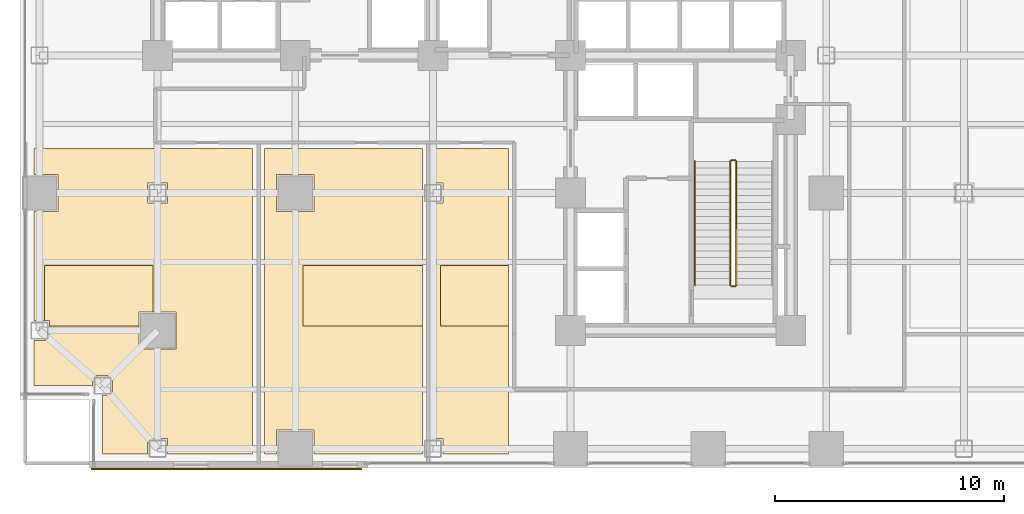
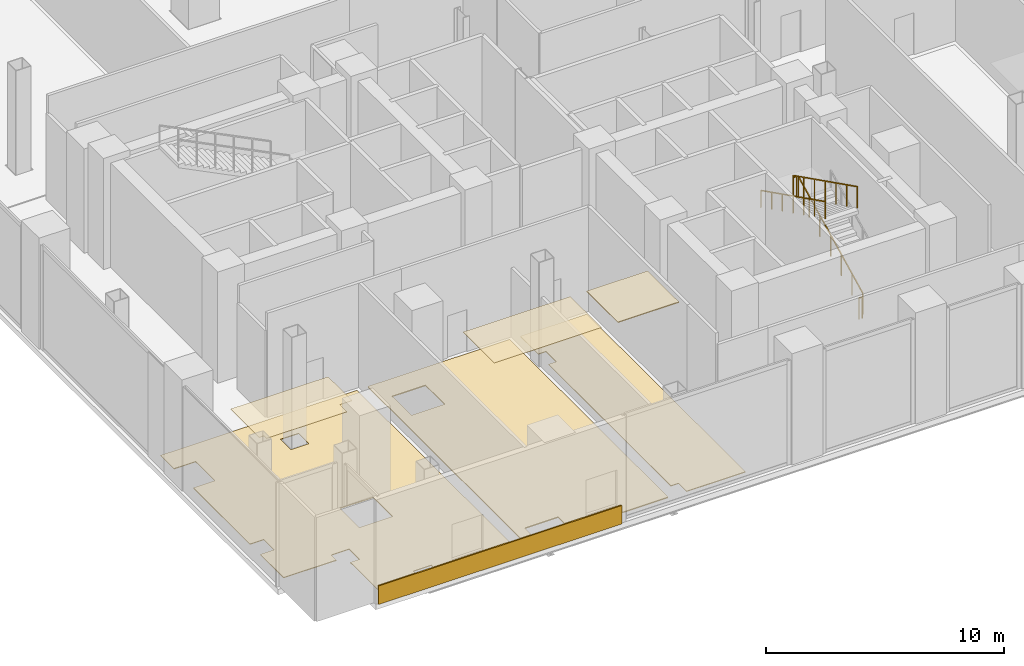
# One storey, part 24 of 27: 7 coverings, 5 railings.
"""IFC4 building model written with IfcOpenShell, lengths in metres."""

from ifc_helpers import new_model, si_unit, direction, frame, origin, origin_2d, place, context, subcontext, project, spatial, polyline, rectangle, outline, extrude, material, layer, layer_set, type_object, element, save


model = new_model("IFC4")

# Units and contexts
model_context = context("Model", 3, precision=1e-05, world=origin(), true_north=direction((0.0, 1.0)))
body_context = subcontext(model_context, "Body", "Model", "MODEL_VIEW")
ifc_project = project(units=[si_unit("LENGTHUNIT", "METRE"), si_unit("AREAUNIT", "SQUARE_METRE"), si_unit("VOLUMEUNIT", "CUBIC_METRE"), si_unit("PLANEANGLEUNIT", "RADIAN"), si_unit("MASSUNIT", "GRAM", prefix="KILO"), si_unit("THERMODYNAMICTEMPERATUREUNIT", "KELVIN"), si_unit("POWERUNIT", "WATT")], contexts=[model_context])

# Site, building, storey
site_placement = place(None, origin())
site = spatial("IfcSite", under=ifc_project, at=site_placement, CompositionType="ELEMENT")
building_placement = place(site_placement, origin())
building = spatial("IfcBuilding", under=site, at=building_placement, Name="Svarakhadi Broadcast Tower", CompositionType="ELEMENT")
storey_placement = place(building_placement, frame((0.0, 0.0, 21.89990234375)))
storey = spatial("IfcBuildingStorey", under=building, at=storey_placement, Name="L04", CompositionType="ELEMENT", Elevation=21.89990234375)

# Coverings
ifc_material_1 = material(Name="Glazed Monsoon Terracotta Rainscreen Tile", Category="masonry")
ifc_layer_1 = layer(ifc_material_1, 0.06494140625)
ifc_layer_set_1 = layer_set([ifc_layer_1], Name="Glazed Monsoon Terracotta Rainscreen Tile")
covering_type_1 = type_object("IfcCoveringType", Name="Cladding_Terracotta_CL01", PredefinedType="CLADDING", material=ifc_layer_set_1)
covering_1_placement = place(storey_placement, origin())
element("IfcCovering", 1, at=covering_1_placement, inside=storey, type_object=covering_type_1, Name="L04 Terracotta Monsoon Spandrel Rainscreen Cladding CL-01", PredefinedType="CLADDING", context=body_context, shape_type="SweptSolid", body=[
    extrude(outline(polyline([(3.10009765625, -0.06494140625), (14.89990234375, -0.06494140625), (14.89990234375, 0.0), (3.10009765625, 0.0), (3.10009765625, -0.06494140625)])), origin(), (0.0, 0.0, 1.0), 0.9501953125),
])
ifc_material_2 = material(Name="Anodised Bronze Aluminium Linear Acoustic Baffle", Category="aluminium")
ifc_layer_2 = layer(ifc_material_2, 0.044921875)
ifc_layer_set_2 = layer_set([ifc_layer_2], Name="Anodised Bronze Aluminium Linear Acoustic Baffle")
covering_type_2 = type_object("IfcCoveringType", Name="Cov_Ceiling_Baffle", PredefinedType="CEILING", material=ifc_layer_set_2)
covering_2_placement = place(storey_placement, frame((0.0, 0.0, 5.30517578125)))
element("IfcCovering", 2, at=covering_2_placement, inside=storey, type_object=covering_type_2, Name="L04 L04 Crew Green Room and Pantry Acoustic Ceiling", PredefinedType="CEILING", context=body_context, shape_type="SweptSolid", body=[
    extrude(outline(polyline([(21.2900390625, 6.2099609375), (18.3349609375, 6.2099609375), (18.3349609375, 8.8349609375), (21.2900390625, 8.8349609375), (21.2900390625, 6.2099609375)])), origin(), (0.0, 0.0, 1.0), 0.044921875),
])
ifc_material_3 = material(Name="Micro-Perforated Mineral Fibre Acoustic Ceiling Tile", Category="mineral_fibre")
ifc_layer_3 = layer(ifc_material_3, 0.02490234375)
ifc_layer_set_3 = layer_set([ifc_layer_3], Name="Micro-Perforated Mineral Fibre Acoustic Ceiling Tile")
covering_type_3 = type_object("IfcCoveringType", Name="Cov_Ceiling_Tile", PredefinedType="CEILING", material=ifc_layer_set_3)
covering_3_placement = place(storey_placement, frame((0.0, 0.0, 5.3251953125)))
element("IfcCovering", 3, at=covering_3_placement, inside=storey, type_object=covering_type_3, Name="L04 L04 Master Control Broadcast Room Acoustic Ceiling", PredefinedType="CEILING", context=body_context, shape_type="SweptSolid", body=[
    extrude(outline(polyline([(5.18994140625, 6.81005859375), (5.18994140625, 6.2099609375), (3.81005859375, 6.2099609375), (3.389892578125, 6.2099609375), (1.284912109375, 6.2099609375), (1.284912109375, 6.43505859375), (1.06005859375, 6.43505859375), (1.06005859375, 8.8349609375), (5.7900390625, 8.8349609375), (5.7900390625, 6.81005859375), (5.18994140625, 6.81005859375)])), origin(), (0.0, 0.0, 1.0), 0.02490234375),
])
covering_4_placement = place(storey_placement, frame((0.0, 0.0, 5.3251953125)))
element("IfcCovering", 4, at=covering_4_placement, inside=storey, type_object=covering_type_3, Name="L04 L04 Audio Post-Production Mixing Room Acoustic Ceiling", PredefinedType="CEILING", context=body_context, shape_type="SweptSolid", body=[
    extrude(outline(polyline([(17.5400390625, 6.2099609375), (12.3349609375, 6.2099609375), (12.3349609375, 8.8349609375), (17.5400390625, 8.8349609375), (17.5400390625, 6.2099609375)])), origin(), (0.0, 0.0, 1.0), 0.02490234375),
])
ifc_material_4 = material(Name="Heavy-Duty Anti-Static Broadcast Raised Access Floor", Category="steel")
ifc_layer_4 = layer(ifc_material_4, 0.050048828125)
ifc_layer_set_4 = layer_set([ifc_layer_4], Name="Heavy-Duty Anti-Static Broadcast Raised Access Floor")
covering_type_4 = type_object("IfcCoveringType", Name="Cov_Floor_Access", PredefinedType="FLOORING", material=ifc_layer_set_4)
covering_5_placement = place(storey_placement, origin())
element("IfcCovering", 5, at=covering_5_placement, inside=storey, type_object=covering_type_4, Name="L04 L04 Audio Post-Production Mixing Room Floor Finish", PredefinedType="FLOORING", context=body_context, shape_type="SweptSolid", body=[
    extrude(outline(polyline([(17.5400390625, 13.93994140625), (17.5400390625, 0.610107421875), (12.81005859375, 0.610107421875), (12.81005859375, 1.659912109375), (11.18994140625, 1.659912109375), (11.18994140625, 0.610107421875), (10.659912109375, 0.610107421875), (10.659912109375, 13.93994140625), (17.5400390625, 13.93994140625)]), holes=[polyline([(11.18994140625, 11.18994140625), (12.81005859375, 11.18994140625), (12.81005859375, 12.81005859375), (11.18994140625, 12.81005859375), (11.18994140625, 11.18994140625)])]), origin(), (0.0, 0.0, 1.0), 0.050048828125),
])
ifc_material_5 = material(Name="Honed Konkan Basalt Stone Tile Flooring", Category="masonry")
ifc_layer_5 = layer(ifc_material_5, 0.034912109375)
ifc_layer_set_5 = layer_set([ifc_layer_5], Name="Honed Konkan Basalt Stone Tile Flooring")
covering_type_5 = type_object("IfcCoveringType", Name="Cov_Floor_Basalt", PredefinedType="FLOORING", material=ifc_layer_set_5)
covering_6_placement = place(storey_placement, origin())
element("IfcCovering", 6, at=covering_6_placement, inside=storey, type_object=covering_type_5, Name="L04 L04 Master Control Broadcast Room Floor Finish", PredefinedType="FLOORING", context=body_context, shape_type="SweptSolid", body=[
    extrude(outline(polyline([(10.139892578125, 0.610107421875), (6.43505859375, 0.610107421875), (6.43505859375, 1.284912109375), (5.56494140625, 1.284912109375), (5.56494140625, 0.610107421875), (3.60009765625, 0.610107421875), (3.60009765625, 3.0), (3.60009765625, 3.009033203125), (3.597900390625, 3.050048828125), (3.595947265625, 3.06689453125), (3.590087890625, 3.10791015625), (3.5869140625, 3.1259765625), (3.576904296875, 3.1650390625), (4.034912109375, 3.1650390625), (4.034912109375, 4.034912109375), (3.1650390625, 4.034912109375), (3.1650390625, 3.576904296875), (3.1259765625, 3.5869140625), (3.10791015625, 3.590087890625), (3.06689453125, 3.595947265625), (3.050048828125, 3.597900390625), (3.009033203125, 3.60009765625), (3.0, 3.60009765625), (0.610107421875, 3.60009765625), (0.610107421875, 5.56494140625), (1.284912109375, 5.56494140625), (1.284912109375, 6.43505859375), (0.610107421875, 6.43505859375), (0.610107421875, 11.18994140625), (1.659912109375, 11.18994140625), (1.659912109375, 12.81005859375), (0.610107421875, 12.81005859375), (0.610107421875, 13.93994140625), (10.139892578125, 13.93994140625), (10.139892578125, 0.610107421875)]), holes=[polyline([(5.18994140625, 5.18994140625), (6.81005859375, 5.18994140625), (6.81005859375, 6.81005859375), (5.18994140625, 6.81005859375), (5.18994140625, 5.18994140625)]), polyline([(5.56494140625, 11.56494140625), (6.43505859375, 11.56494140625), (6.43505859375, 12.43505859375), (5.56494140625, 12.43505859375), (5.56494140625, 11.56494140625)])]), origin(), (0.0, 0.0, 1.0), 0.03515625),
])
covering_7_placement = place(storey_placement, origin())
element("IfcCovering", 7, at=covering_7_placement, inside=storey, type_object=covering_type_5, Name="L04 L04 Crew Green Room and Pantry Floor Finish", PredefinedType="FLOORING", context=body_context, shape_type="SweptSolid", body=[
    extrude(outline(polyline([(21.2900390625, 13.93994140625), (21.2900390625, 0.610107421875), (18.43505859375, 0.610107421875), (18.43505859375, 1.284912109375), (18.06005859375, 1.284912109375), (18.06005859375, 11.56494140625), (18.43505859375, 11.56494140625), (18.43505859375, 12.43505859375), (18.06005859375, 12.43505859375), (18.06005859375, 13.93994140625), (21.2900390625, 13.93994140625)])), origin(), (0.0, 0.0, 1.0), 0.03515625),
])

# Railings
ifc_material_6 = material(Name="Anodised Bronze Aluminium AA 6063-T6", Category="aluminium")
railing_type_1 = type_object("IfcRailingType", Name="Guard_Stair_GR01", PredefinedType="GUARDRAIL", material=ifc_material_6)
railing_1_placement = place(storey_placement, frame((31.22998046875, 7.97998046875, 0.150146484375)))
element("IfcRailing", 8, at=railing_1_placement, inside=storey, type_object=railing_type_1, Name="L04 ST-02 stair guard 1", PredefinedType="GUARDRAIL", context=body_context, shape_type="SweptSolid", body=[
    extrude(rectangle(XDim=0.048095703125, YDim=0.048095703125, at=origin_2d()), frame((0.0, 0.0, 1.09619140625), z_axis=(0.0, 0.894427191, 0.4472135955), x_axis=(-1.0, 0.0, 0.0)), (0.0, 0.0, 1.0), 6.037353515625),
    extrude(rectangle(XDim=0.0419921875, YDim=0.0419921875, at=origin_2d()), origin(), (0.0, 0.0, 1.0), 1.072021484375),
    extrude(rectangle(XDim=0.0419921875, YDim=0.0419921875, at=origin_2d()), frame((0.0, 0.89990234375, 0.449951171875)), (0.0, 0.0, 1.0), 1.072021484375),
    extrude(rectangle(XDim=0.0419921875, YDim=0.0419921875, at=origin_2d()), frame((0.0, 1.800048828125, 0.89990234375)), (0.0, 0.0, 1.0), 1.072021484375),
    extrude(rectangle(XDim=0.0419921875, YDim=0.0419921875, at=origin_2d()), frame((0.0, 2.699951171875, 1.35009765625)), (0.0, 0.0, 1.0), 1.072021484375),
    extrude(rectangle(XDim=0.0419921875, YDim=0.0419921875, at=origin_2d()), frame((0.0, 3.599853515625, 1.800048828125)), (0.0, 0.0, 1.0), 1.072021484375),
    extrude(rectangle(XDim=0.0419921875, YDim=0.0419921875, at=origin_2d()), frame((0.0, 4.5, 2.25)), (0.0, 0.0, 1.0), 1.072021484375),
    extrude(rectangle(XDim=0.0419921875, YDim=0.0419921875, at=origin_2d()), frame((0.0, 5.39990234375, 2.699951171875)), (0.0, 0.0, 1.0), 1.072021484375),
])
railing_2_placement = place(storey_placement, frame((31.179931640625, 13.429931640625, 2.85009765625)))
element("IfcRailing", 9, at=railing_2_placement, inside=storey, type_object=railing_type_1, Name="L04 ST-02 stair guard 2", PredefinedType="GUARDRAIL", context=body_context, shape_type="SweptSolid", body=[
    extrude(rectangle(XDim=0.048095703125, YDim=0.048095703125, at=origin_2d()), frame((0.0, 0.0, 1.09619140625), z_axis=(-1.0, 0.0, 0.0), x_axis=(0.0, -1.0, 0.0)), (0.0, 0.0, 1.0), 0.159912109375),
    extrude(rectangle(XDim=0.0419921875, YDim=0.0419921875, at=origin_2d()), origin(), (0.0, 0.0, 1.0), 1.072021484375),
    extrude(rectangle(XDim=0.0419921875, YDim=0.0419921875, at=origin_2d()), frame((-0.159912109375, 0.0, 0.0)), (0.0, 0.0, 1.0), 1.072021484375),
])
railing_3_placement = place(storey_placement, frame((30.969970703125, 13.3798828125, 3.0)))
element("IfcRailing", 10, at=railing_3_placement, inside=storey, type_object=railing_type_1, Name="L04 ST-02 stair guard 3", PredefinedType="GUARDRAIL", context=body_context, shape_type="SweptSolid", body=[
    extrude(rectangle(XDim=0.048095703125, YDim=0.048095703125, at=origin_2d()), frame((0.0, 0.0, 1.09619140625), z_axis=(0.0, -0.894411015155, 0.447245945728), x_axis=(1.0, 0.0, 0.0)), (0.0, 0.0, 1.0), 6.037353515625),
    extrude(rectangle(XDim=0.0419921875, YDim=0.0419921875, at=origin_2d()), origin(), (0.0, 0.0, 1.0), 1.072021484375),
    extrude(rectangle(XDim=0.0419921875, YDim=0.0419921875, at=origin_2d()), frame((0.0, -0.89990234375, 0.449951171875)), (0.0, 0.0, 1.0), 1.072021484375),
    extrude(rectangle(XDim=0.0419921875, YDim=0.0419921875, at=origin_2d()), frame((0.0, -1.800048828125, 0.900146484375)), (0.0, 0.0, 1.0), 1.072021484375),
    extrude(rectangle(XDim=0.0419921875, YDim=0.0419921875, at=origin_2d()), frame((0.0, -2.699951171875, 1.35009765625)), (0.0, 0.0, 1.0), 1.072021484375),
    extrude(rectangle(XDim=0.0419921875, YDim=0.0419921875, at=origin_2d()), frame((0.0, -3.599853515625, 1.800048828125)), (0.0, 0.0, 1.0), 1.072021484375),
    extrude(rectangle(XDim=0.0419921875, YDim=0.0419921875, at=origin_2d()), frame((0.0, -4.5, 2.250244140625)), (0.0, 0.0, 1.0), 1.072021484375),
    extrude(rectangle(XDim=0.0419921875, YDim=0.0419921875, at=origin_2d()), frame((0.0, -5.39990234375, 2.7001953125)), (0.0, 0.0, 1.0), 1.072021484375),
])
railing_4_placement = place(storey_placement, frame((31.179931640625, 7.929931640625, 0.0)))
element("IfcRailing", 11, at=railing_4_placement, inside=storey, type_object=railing_type_1, Name="L04 ST-02 stair guard 4", PredefinedType="GUARDRAIL", context=body_context, shape_type="SweptSolid", body=[
    extrude(rectangle(XDim=0.048095703125, YDim=0.048095703125, at=origin_2d()), frame((0.0, 0.0, 1.09619140625), z_axis=(-1.0, 0.0, 0.0), x_axis=(0.0, -1.0, 0.0)), (0.0, 0.0, 1.0), 0.159912109375),
    extrude(rectangle(XDim=0.0419921875, YDim=0.0419921875, at=origin_2d()), origin(), (0.0, 0.0, 1.0), 1.072021484375),
    extrude(rectangle(XDim=0.0419921875, YDim=0.0419921875, at=origin_2d()), frame((-0.159912109375, 0.0, 0.0)), (0.0, 0.0, 1.0), 1.072021484375),
])
railing_type_2 = type_object("IfcRailingType", Name="Handrail_Stair_HR01", PredefinedType="HANDRAIL", material=ifc_material_6)
railing_5_placement = place(storey_placement, frame((29.409912109375, 13.3798828125, 3.0)))
element("IfcRailing", 12, at=railing_5_placement, inside=storey, type_object=railing_type_2, Name="L04 ST-02 stair handrail 2", PredefinedType="HANDRAIL", context=body_context, shape_type="SweptSolid", body=[
    extrude(rectangle(XDim=0.048095703125, YDim=0.048095703125, at=origin_2d()), frame((0.0, 0.0, 0.8759765625), z_axis=(0.0, -0.894411015155, 0.447245945728), x_axis=(1.0, 0.0, 0.0)), (0.0, 0.0, 1.0), 6.037353515625),
    extrude(rectangle(XDim=0.0419921875, YDim=0.0419921875, at=origin_2d()), origin(), (0.0, 0.0, 1.0), 0.851806640625),
    extrude(rectangle(XDim=0.0419921875, YDim=0.0419921875, at=origin_2d()), frame((0.0, -0.89990234375, 0.449951171875)), (0.0, 0.0, 1.0), 0.851806640625),
    extrude(rectangle(XDim=0.0419921875, YDim=0.0419921875, at=origin_2d()), frame((0.0, -1.800048828125, 0.900146484375)), (0.0, 0.0, 1.0), 0.851806640625),
    extrude(rectangle(XDim=0.0419921875, YDim=0.0419921875, at=origin_2d()), frame((0.0, -2.699951171875, 1.35009765625)), (0.0, 0.0, 1.0), 0.851806640625),
    extrude(rectangle(XDim=0.0419921875, YDim=0.0419921875, at=origin_2d()), frame((0.0, -3.599853515625, 1.800048828125)), (0.0, 0.0, 1.0), 0.851806640625),
    extrude(rectangle(XDim=0.0419921875, YDim=0.0419921875, at=origin_2d()), frame((0.0, -4.5, 2.250244140625)), (0.0, 0.0, 1.0), 0.851806640625),
    extrude(rectangle(XDim=0.0419921875, YDim=0.0419921875, at=origin_2d()), frame((0.0, -5.39990234375, 2.7001953125)), (0.0, 0.0, 1.0), 0.851806640625),
])

save(model, "model.ifc")
